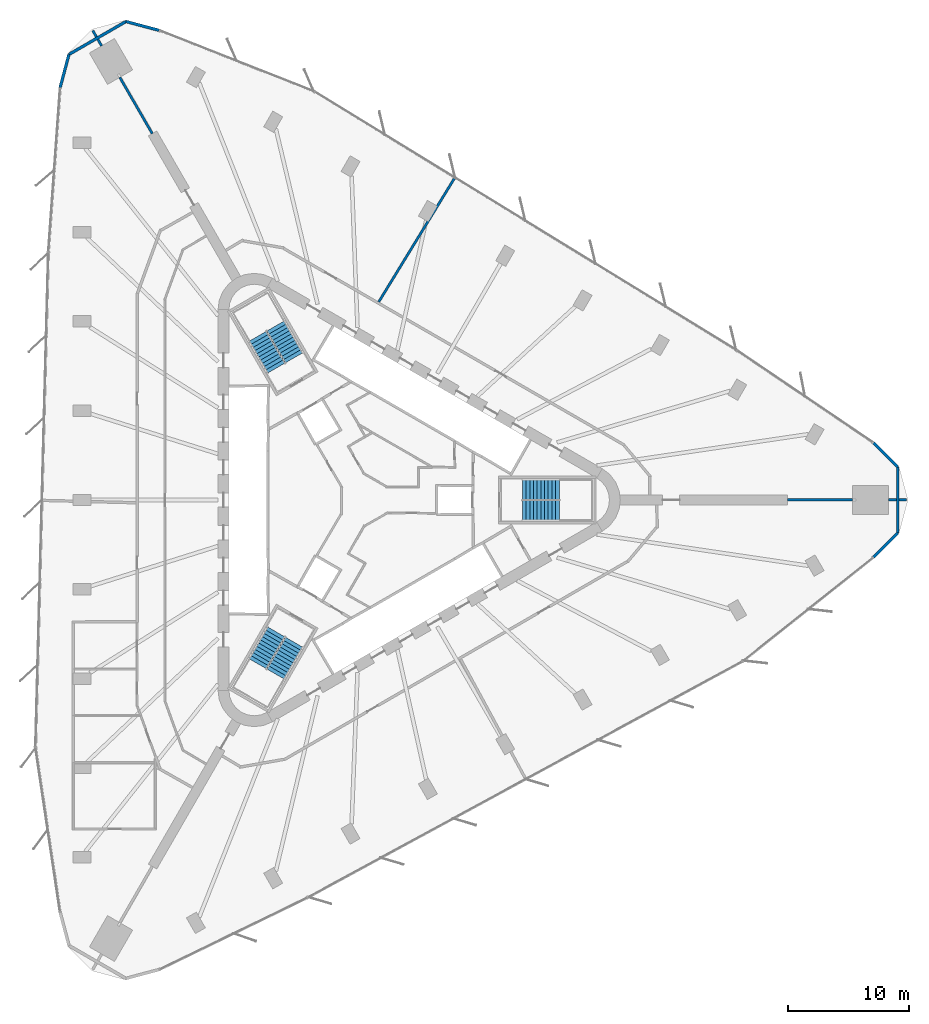
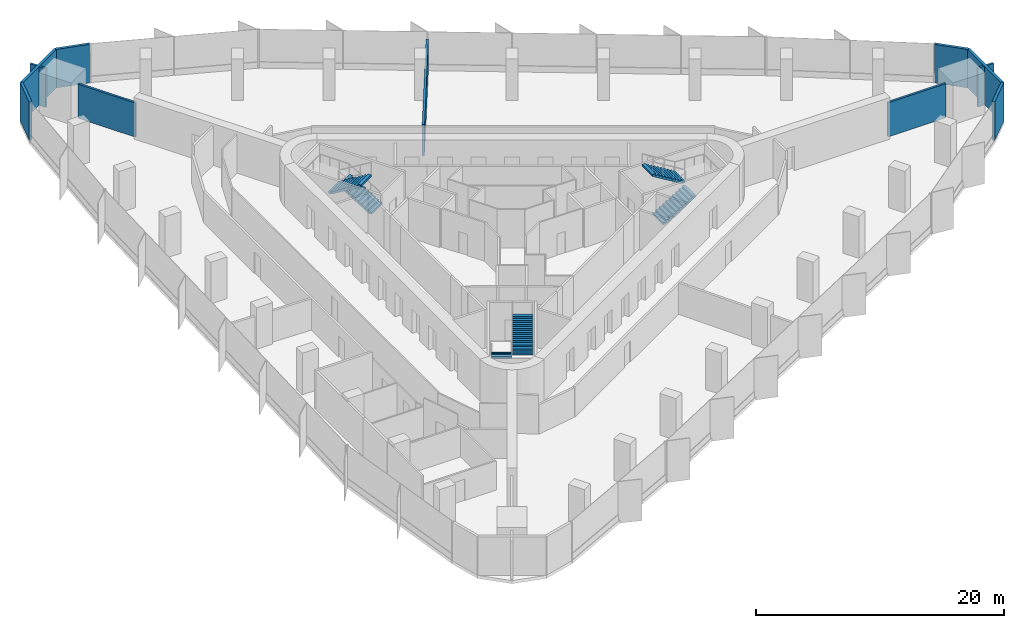
# One storey, part 12 of 13: 13 walls, 6 stair flights, 3 elements without a shape of their own.
"""IFC4 building model written with IfcOpenShell, lengths in metres."""

from ifc_helpers import new_model, si_unit, direction, frame, frame_2d, origin, place, context, subcontext, project, spatial, polyline, rectangle, outline, extrude, material, layer, layer_set, type_object, element, aggregate, save


model = new_model("IFC4")

# Units and contexts
model_context = context("Model", 3, precision=1e-05, world=origin(), true_north=direction((0.0, 1.0)))
body_context = subcontext(model_context, "Body", "Model", "MODEL_VIEW")
ifc_project = project(units=[si_unit("LENGTHUNIT", "METRE"), si_unit("AREAUNIT", "SQUARE_METRE"), si_unit("VOLUMEUNIT", "CUBIC_METRE"), si_unit("PLANEANGLEUNIT", "RADIAN"), si_unit("MASSUNIT", "GRAM", prefix="KILO")], contexts=[model_context])

# Site, building, storey
site_placement = place(None, origin())
site = spatial("IfcSite", under=ifc_project, at=site_placement, CompositionType="ELEMENT")
building_placement = place(site_placement, origin())
building = spatial("IfcBuilding", under=site, at=building_placement, Name="Tanit Gate Tower", CompositionType="ELEMENT")
storey_placement = place(building_placement, frame((0.0, 0.0, 57.800048828125)))
storey = spatial("IfcBuildingStorey", under=building, at=storey_placement, Name="L10", CompositionType="ELEMENT", Elevation=57.800048828125)

# Walls
ifc_material_1 = material(Name="Concrete C30/37 with bronze anodised aluminium cladding", Category="concrete")
ifc_layer_1 = layer(ifc_material_1, 0.239990234375)
ifc_layer_set_1 = layer_set([ifc_layer_1], Name="Facade wall bronze clad 240")
wall_type_1 = type_object("IfcWallType", Name="Facade wall bronze clad 240", PredefinedType="SOLIDWALL", material=ifc_layer_set_1)
wall_1_placement = place(storey_placement, frame((-16.968994140625, 38.868896484375, 0.0), z_axis=(0.0, 0.0, 1.0), x_axis=(-0.965929678743, 0.258804667121, 0.0)))
element("IfcWall", 1, at=wall_1_placement, inside=storey, type_object=wall_type_1, Name="Bronze-clad facade wall L10 NW.arc1", PredefinedType="SOLIDWALL", context=body_context, shape_type="SweptSolid", body=[
    extrude(rectangle(XDim=2.846923828125, YDim=0.239990234375, at=frame_2d((1.42333984375, 0.0))), origin(), (0.0, 0.0, 1.0), 3.800048828125),
])
wall_2_placement = place(storey_placement, frame((-19.718994140625, 39.605712890625, 0.0), z_axis=(0.0, 0.0, 1.0), x_axis=(-0.866029712004, -0.499992537871, 0.0)))
element("IfcWall", 2, at=wall_2_placement, inside=storey, type_object=wall_type_1, Name="Bronze-clad facade wall L10 NW.arc2", PredefinedType="SOLIDWALL", context=body_context, shape_type="SweptSolid", body=[
    extrude(rectangle(XDim=5.451171875, YDim=0.239990234375, at=frame_2d((2.7255859375, 0.0))), origin(), (0.0, 0.0, 1.0), 3.800048828125),
])
wall_3_placement = place(storey_placement, frame((-24.43994140625, 36.880126953125, 0.0), z_axis=(0.0, 0.0, 1.0), x_axis=(-0.258870602714, -0.965912009994, 0.0)))
element("IfcWall", 3, at=wall_3_placement, inside=storey, type_object=wall_type_1, Name="Bronze-clad facade wall L10 NW.arc3", PredefinedType="SOLIDWALL", context=body_context, shape_type="SweptSolid", body=[
    extrude(rectangle(XDim=2.842529296875, YDim=0.239990234375, at=frame_2d((1.42138671875, 0.0))), origin(), (0.0, 0.0, 1.0), 3.800048828125),
])
wall_4_placement = place(storey_placement, frame((42.14599609375, -4.73876953125, 0.0), z_axis=(0.0, 0.0, 1.0), x_axis=(0.707106781187, 0.707106781187, 0.0)))
element("IfcWall", 4, at=wall_4_placement, inside=storey, type_object=wall_type_1, Name="Bronze-clad facade wall L10 E.arc1", PredefinedType="SOLIDWALL", context=body_context, shape_type="SweptSolid", body=[
    extrude(rectangle(XDim=2.84716796875, YDim=0.239990234375, at=frame_2d((1.423583984375, 0.0))), origin(), (0.0, 0.0, 1.0), 3.800048828125),
])
wall_5_placement = place(storey_placement, frame((44.1591796875, -2.7255859375, 0.0), z_axis=(0.0, 0.0, 1.0), x_axis=(0.0, 1.0, 0.0)))
element("IfcWall", 5, at=wall_5_placement, inside=storey, type_object=wall_type_1, Name="Bronze-clad facade wall L10 E.arc2", PredefinedType="SOLIDWALL", context=body_context, shape_type="SweptSolid", body=[
    extrude(rectangle(XDim=5.451171875, YDim=0.239990234375, at=frame_2d((2.7255859375, 0.0))), origin(), (0.0, 0.0, 1.0), 3.800048828125),
])
wall_6_placement = place(storey_placement, frame((44.1591796875, 2.7255859375, 0.0), z_axis=(0.0, 0.0, 1.0), x_axis=(-0.707106781187, 0.707106781187, 0.0)))
element("IfcWall", 6, at=wall_6_placement, inside=storey, type_object=wall_type_1, Name="Bronze-clad facade wall L10 E.arc3", PredefinedType="SOLIDWALL", context=body_context, shape_type="SweptSolid", body=[
    extrude(rectangle(XDim=2.842529296875, YDim=0.239990234375, at=frame_2d((1.42138671875, 0.0))), origin(), (0.0, 0.0, 1.0), 3.800048828125),
])
ifc_material_2 = material(Name="Fire-rated gypsum board partition")
ifc_layer_2 = layer(ifc_material_2, 0.199951171875)
ifc_layer_set_2 = layer_set([ifc_layer_2], Name="INT-WALL-COMPARTMENT")
wall_type_2 = type_object("IfcWallType", Name="INT-WALL-COMPARTMENT", PredefinedType="PARTITIONING", material=ifc_layer_set_2)
wall_7_placement = place(storey_placement, frame((-22.466552734375, 38.853515625, 0.0), z_axis=(0.0, 0.0, 1.0), x_axis=(0.499757541684, -0.866165341912, 0.0)))
element("IfcWall", 7, at=wall_7_placement, inside=storey, type_object=wall_type_2, Name="Wall Compartment W124", PredefinedType="PARTITIONING", context=body_context, shape_type="SweptSolid", body=[
    extrude(rectangle(XDim=0.602294921875, YDim=0.199951171875, at=frame_2d((0.30126953125, 0.0))), origin(), (0.0, 0.0, 1.0), 3.800048828125),
])
wall_8_placement = place(storey_placement, frame((-22.04541015625, 38.1240234375, 0.0), z_axis=(0.0, 0.0, 1.0), x_axis=(0.49966612908, -0.86621807846, 0.0)))
element("IfcWall", 8, at=wall_8_placement, inside=storey, type_object=wall_type_2, Name="Wall Compartment W124x1", PredefinedType="PARTITIONING", context=body_context, shape_type="SweptSolid", body=[
    extrude(rectangle(XDim=0.62548828125, YDim=0.199951171875, at=frame_2d((0.312744140625, 0.0))), origin(), (0.0, 0.0, 1.0), 3.800048828125),
])
wall_9_placement = place(storey_placement, frame((-20.23291015625, 34.984130859375, 0.0), z_axis=(0.0, 0.0, 1.0), x_axis=(0.500014458952, -0.866017055744, 0.0)))
element("IfcWall", 9, at=wall_9_placement, inside=storey, type_object=wall_type_2, Name="Wall Compartment W125", PredefinedType="PARTITIONING", context=body_context, shape_type="SweptSolid", body=[
    extrude(rectangle(XDim=5.379638671875, YDim=0.199951171875, at=frame_2d((2.68994140625, 0.0))), origin(), (0.0, 0.0, 1.0), 3.369873046875),
])
wall_10_placement = place(storey_placement, frame((7.503173828125, 26.68505859375, 0.0), z_axis=(0.0, 0.0, 1.0), x_axis=(-0.522270694587, -0.852779761472, 0.0)))
element("IfcWall", 10, at=wall_10_placement, inside=storey, type_object=wall_type_2, Name="Wall Compartment W126", PredefinedType="PARTITIONING", context=body_context, shape_type="SweptSolid", body=[
    extrude(rectangle(XDim=12.065673828125, YDim=0.199951171875, at=frame_2d((6.03271484375, 0.0))), origin(), (0.0, 0.0, 1.0), 3.079833984375),
])
wall_11_placement = place(storey_placement, frame((35.033935546875, 0.02001953125, 0.0), z_axis=(0.0, 0.0, 1.0), x_axis=(0.999998268947, 0.001860672976, 0.0)))
element("IfcWall", 11, at=wall_11_placement, inside=storey, type_object=wall_type_2, Name="Wall Compartment W127", PredefinedType="PARTITIONING", context=body_context, shape_type="SweptSolid", body=[
    extrude(rectangle(XDim=5.379638671875, YDim=0.199951171875, at=frame_2d((2.68994140625, 0.0))), origin(), (0.0, 0.0, 1.0), 3.369873046875),
])
wall_12_placement = place(storey_placement, frame((43.41357421875, 0.030029296875, 0.0), z_axis=(0.0, 0.0, 1.0), x_axis=(1.0, 0.0, 0.0)))
element("IfcWall", 12, at=wall_12_placement, inside=storey, type_object=wall_type_2, Name="Wall Compartment W128", PredefinedType="PARTITIONING", context=body_context, shape_type="SweptSolid", body=[
    extrude(rectangle(XDim=0.62548828125, YDim=0.199951171875, at=frame_2d((0.312744140625, 0.0))), origin(), (0.0, 0.0, 1.0), 3.800048828125),
])
wall_13_placement = place(storey_placement, frame((44.279052734375, 0.030029296875, 0.0), z_axis=(0.0, 0.0, 1.0), x_axis=(1.0, 0.0, 0.0)))
element("IfcWall", 13, at=wall_13_placement, inside=storey, type_object=wall_type_2, Name="Wall Compartment W128x1", PredefinedType="PARTITIONING", context=body_context, shape_type="SweptSolid", body=[
    extrude(rectangle(XDim=0.602294921875, YDim=0.199951171875, at=frame_2d((0.30126953125, 0.0))), origin(), (0.0, 0.0, 1.0), 3.800048828125),
])

# Stair, stair flights
ifc_material_3 = material(Name="Concrete C40/50", Category="concrete")
stair_type = type_object("IfcStairType", Name="INT-STAIR-EXIT", PredefinedType="HALF_TURN_STAIR", material=ifc_material_3)
stair_1_placement = place(storey_placement, origin())
stair_1 = element("IfcStair", 14, at=stair_1_placement, inside=storey, type_object=stair_type, Name="L10 STAIR S1", PredefinedType="HALF_TURN_STAIR")
ifc_material_4 = material(Name="Concrete C40/50", Category="concrete")
stair_flight_type = type_object("IfcStairFlightType", Name="INT-STAIR-FLIGHT", PredefinedType="STRAIGHT", material=ifc_material_4)
stair_flight_1_placement = place(storey_placement, frame((13.094970703125, -0.8525390625, 0.0), z_axis=(0.0, 0.0, 1.0), x_axis=(1.0, 0.0, 0.0)))
stair_flight_1 = element("IfcStairFlight", 15, at=stair_flight_1_placement, type_object=stair_flight_type, Name="S1 flight 1", NumberOfRisers=11, NumberOfTreads=10, PredefinedType="STRAIGHT", RiserHeight=0.186363636, TreadLength=0.3051, context=body_context, shape_type="SweptSolid", body=[
    extrude(outline(polyline([(0.0, 0.0), (0.0, 0.186279296875), (0.30517578125, 0.186279296875), (0.30517578125, 0.372802734375), (0.610107421875, 0.372802734375), (0.610107421875, 0.55908203125), (0.915283203125, 0.55908203125), (0.915283203125, 0.745361328125), (1.220458984375, 0.745361328125), (1.220458984375, 0.931884765625), (1.525390625, 0.931884765625), (1.525390625, 1.1181640625), (1.83056640625, 1.1181640625), (1.83056640625, 1.304443359375), (2.1357421875, 1.304443359375), (2.1357421875, 1.490966796875), (2.44091796875, 1.490966796875), (2.44091796875, 1.67724609375), (2.745849609375, 1.67724609375), (2.745849609375, 1.863525390625), (3.051025390625, 1.863525390625), (3.051025390625, 2.050048828125), (3.051025390625, 1.68798828125), (0.28759765625, 0.0), (0.0, 0.0)])), frame((0.0, 0.84765625, 0.0), z_axis=(0.0, -1.0, 0.0), x_axis=(1.0, 0.0, 0.0)), (0.0, 0.0, 1.0), 1.695068359375),
])
stair_flight_2_placement = place(storey_placement, frame((16.14599609375, 0.8525390625, 2.050048828125), z_axis=(0.0, 0.0, 1.0), x_axis=(-1.0, 0.0, 0.0)))
stair_flight_2 = element("IfcStairFlight", 16, at=stair_flight_2_placement, type_object=stair_flight_type, Name="S1 flight 2", NumberOfRisers=11, NumberOfTreads=10, PredefinedType="STRAIGHT", RiserHeight=0.186363636, TreadLength=0.3051, context=body_context, shape_type="SweptSolid", body=[
    extrude(outline(polyline([(0.0, 0.0), (0.0, 0.186279296875), (0.30517578125, 0.186279296875), (0.30517578125, 0.372802734375), (0.610107421875, 0.372802734375), (0.610107421875, 0.55908203125), (0.915283203125, 0.55908203125), (0.915283203125, 0.745361328125), (1.220458984375, 0.745361328125), (1.220458984375, 0.931884765625), (1.525390625, 0.931884765625), (1.525390625, 1.1181640625), (1.83056640625, 1.1181640625), (1.83056640625, 1.304443359375), (2.1357421875, 1.304443359375), (2.1357421875, 1.490966796875), (2.44091796875, 1.490966796875), (2.44091796875, 1.67724609375), (2.745849609375, 1.67724609375), (2.745849609375, 1.863525390625), (3.051025390625, 1.863525390625), (3.051025390625, 2.050048828125), (3.051025390625, 1.68798828125), (0.28759765625, 0.0), (0.0, 0.0)])), frame((0.0, 0.84765625, 0.0), z_axis=(0.0, -1.0, 0.0), x_axis=(1.0, 0.0, 0.0)), (0.0, 0.0, 1.0), 1.695068359375),
])
aggregate(stair_1, [stair_flight_1, stair_flight_2])

stair_2_placement = place(storey_placement, origin())
stair_2 = element("IfcStair", 17, at=stair_2_placement, inside=storey, type_object=stair_type, Name="L10 STAIR S2", PredefinedType="HALF_TURN_STAIR")
stair_flight_3_placement = place(storey_placement, frame((-5.808349609375, 11.766357421875, 0.0), z_axis=(0.0, 0.0, 1.0), x_axis=(-0.5, 0.866025403784, 0.0)))
stair_flight_3 = element("IfcStairFlight", 18, at=stair_flight_3_placement, type_object=stair_flight_type, Name="S2 flight 1", NumberOfRisers=11, NumberOfTreads=10, PredefinedType="STRAIGHT", RiserHeight=0.186363636, TreadLength=0.30492, context=body_context, shape_type="SweptSolid", body=[
    extrude(outline(polyline([(0.0, 0.0), (0.0, 0.186279296875), (0.304931640625, 0.186279296875), (0.304931640625, 0.372802734375), (0.60986328125, 0.372802734375), (0.60986328125, 0.55908203125), (0.914794921875, 0.55908203125), (0.914794921875, 0.745361328125), (1.2197265625, 0.745361328125), (1.2197265625, 0.931884765625), (1.524658203125, 0.931884765625), (1.524658203125, 1.1181640625), (1.82958984375, 1.1181640625), (1.82958984375, 1.304443359375), (2.134521484375, 1.304443359375), (2.134521484375, 1.490966796875), (2.439453125, 1.490966796875), (2.439453125, 1.67724609375), (2.744384765625, 1.67724609375), (2.744384765625, 1.863525390625), (3.04931640625, 1.863525390625), (3.04931640625, 2.050048828125), (3.04931640625, 1.68798828125), (0.287353515625, 0.0), (0.0, 0.0)])), frame((0.0, 0.84716796875, 0.0), z_axis=(0.0, -1.0, 0.0), x_axis=(1.0, 0.0, 0.0)), (0.0, 0.0, 1.0), 1.694091796875),
])
stair_flight_4_placement = place(storey_placement, frame((-8.810302734375, 13.553955078125, 2.050048828125), z_axis=(0.0, 0.0, 1.0), x_axis=(0.5, -0.866025403784, 0.0)))
stair_flight_4 = element("IfcStairFlight", 19, at=stair_flight_4_placement, type_object=stair_flight_type, Name="S2 flight 2", NumberOfRisers=11, NumberOfTreads=10, PredefinedType="STRAIGHT", RiserHeight=0.186363636, TreadLength=0.30492, context=body_context, shape_type="SweptSolid", body=[
    extrude(outline(polyline([(0.0, 0.0), (0.0, 0.186279296875), (0.304931640625, 0.186279296875), (0.304931640625, 0.372802734375), (0.60986328125, 0.372802734375), (0.60986328125, 0.55908203125), (0.914794921875, 0.55908203125), (0.914794921875, 0.745361328125), (1.2197265625, 0.745361328125), (1.2197265625, 0.931884765625), (1.524658203125, 0.931884765625), (1.524658203125, 1.1181640625), (1.82958984375, 1.1181640625), (1.82958984375, 1.304443359375), (2.134521484375, 1.304443359375), (2.134521484375, 1.490966796875), (2.439453125, 1.490966796875), (2.439453125, 1.67724609375), (2.744384765625, 1.67724609375), (2.744384765625, 1.863525390625), (3.04931640625, 1.863525390625), (3.04931640625, 2.050048828125), (3.04931640625, 1.68798828125), (0.287353515625, 0.0), (0.0, 0.0)])), frame((0.0, 0.84716796875, 0.0), z_axis=(0.0, -1.0, 0.0), x_axis=(1.0, 0.0, 0.0)), (0.0, 0.0, 1.0), 1.694091796875),
])
aggregate(stair_2, [stair_flight_3, stair_flight_4])

stair_3_placement = place(storey_placement, origin())
stair_3 = element("IfcStair", 20, at=stair_3_placement, inside=storey, type_object=stair_type, Name="L10 STAIR S3", PredefinedType="HALF_TURN_STAIR")
stair_flight_5_placement = place(storey_placement, frame((-7.285888671875, -10.914306640625, 0.0), z_axis=(0.0, 0.0, 1.0), x_axis=(-0.5, -0.866025403784, 0.0)))
stair_flight_5 = element("IfcStairFlight", 21, at=stair_flight_5_placement, type_object=stair_flight_type, Name="S3 flight 1", NumberOfRisers=11, NumberOfTreads=10, PredefinedType="STRAIGHT", RiserHeight=0.186363636, TreadLength=0.3051, context=body_context, shape_type="SweptSolid", body=[
    extrude(outline(polyline([(0.0, 0.0), (0.0, 0.186279296875), (0.30517578125, 0.186279296875), (0.30517578125, 0.372802734375), (0.610107421875, 0.372802734375), (0.610107421875, 0.55908203125), (0.915283203125, 0.55908203125), (0.915283203125, 0.745361328125), (1.220458984375, 0.745361328125), (1.220458984375, 0.931884765625), (1.525390625, 0.931884765625), (1.525390625, 1.1181640625), (1.83056640625, 1.1181640625), (1.83056640625, 1.304443359375), (2.1357421875, 1.304443359375), (2.1357421875, 1.490966796875), (2.44091796875, 1.490966796875), (2.44091796875, 1.67724609375), (2.745849609375, 1.67724609375), (2.745849609375, 1.863525390625), (3.051025390625, 1.863525390625), (3.051025390625, 2.050048828125), (3.051025390625, 1.68798828125), (0.28759765625, 0.0), (0.0, 0.0)])), frame((0.0, 0.84765625, 0.0), z_axis=(0.0, -1.0, 0.0), x_axis=(1.0, 0.0, 0.0)), (0.0, 0.0, 1.0), 1.695068359375),
])
stair_flight_6_placement = place(storey_placement, frame((-7.334716796875, -14.4091796875, 2.050048828125), z_axis=(0.0, 0.0, 1.0), x_axis=(0.5, 0.866025403784, 0.0)))
stair_flight_6 = element("IfcStairFlight", 22, at=stair_flight_6_placement, type_object=stair_flight_type, Name="S3 flight 2", NumberOfRisers=11, NumberOfTreads=10, PredefinedType="STRAIGHT", RiserHeight=0.186363636, TreadLength=0.3051, context=body_context, shape_type="SweptSolid", body=[
    extrude(outline(polyline([(0.0, 0.0), (0.0, 0.186279296875), (0.30517578125, 0.186279296875), (0.30517578125, 0.372802734375), (0.610107421875, 0.372802734375), (0.610107421875, 0.55908203125), (0.915283203125, 0.55908203125), (0.915283203125, 0.745361328125), (1.220458984375, 0.745361328125), (1.220458984375, 0.931884765625), (1.525390625, 0.931884765625), (1.525390625, 1.1181640625), (1.83056640625, 1.1181640625), (1.83056640625, 1.304443359375), (2.1357421875, 1.304443359375), (2.1357421875, 1.490966796875), (2.44091796875, 1.490966796875), (2.44091796875, 1.67724609375), (2.745849609375, 1.67724609375), (2.745849609375, 1.863525390625), (3.051025390625, 1.863525390625), (3.051025390625, 2.050048828125), (3.051025390625, 1.68798828125), (0.28759765625, 0.0), (0.0, 0.0)])), frame((0.0, 0.84765625, 0.0), z_axis=(0.0, -1.0, 0.0), x_axis=(1.0, 0.0, 0.0)), (0.0, 0.0, 1.0), 1.695068359375),
])
aggregate(stair_3, [stair_flight_5, stair_flight_6])

save(model, "model.ifc")
